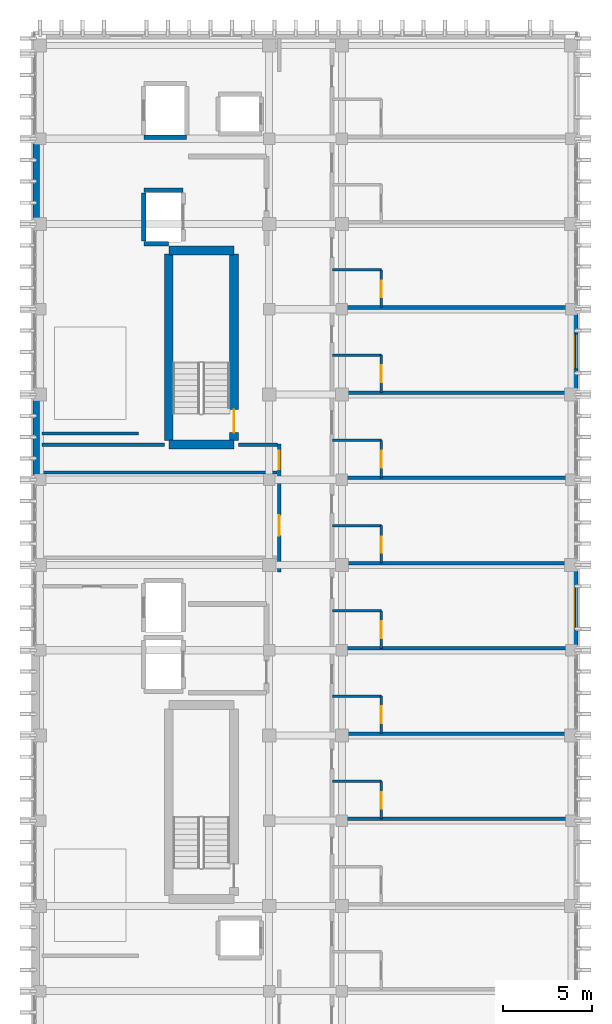
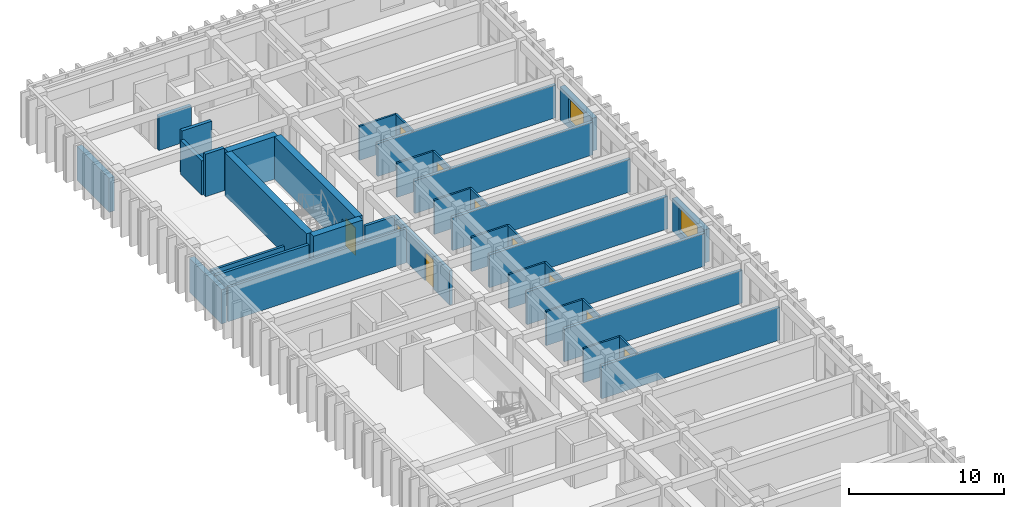
# One storey, part 54 of 64: 38 walls, 10 doors, 2 windows, 12 openings.
"""IFC4 building model written with IfcOpenShell, lengths in metres."""

from ifc_helpers import new_model, si_unit, direction, frame, frame_2d, origin, place, context, subcontext, project, spatial, rectangle, extrude, material, layer, layer_set, type_object, element, fill, save


model = new_model("IFC4")

# Units and contexts
model_context = context("Model", 3, precision=1e-05, world=origin(), true_north=direction((0.0, 1.0)))
body_context = subcontext(model_context, "Body", "Model", "MODEL_VIEW")
ifc_project = project(units=[si_unit("LENGTHUNIT", "METRE"), si_unit("AREAUNIT", "SQUARE_METRE"), si_unit("VOLUMEUNIT", "CUBIC_METRE"), si_unit("PLANEANGLEUNIT", "RADIAN"), si_unit("MASSUNIT", "GRAM", prefix="KILO")], contexts=[model_context])

# Site, building, storey
site_placement = place(None, origin())
site = spatial("IfcSite", under=ifc_project, at=site_placement, CompositionType="ELEMENT")
building_placement = place(site_placement, origin())
building = spatial("IfcBuilding", under=site, at=building_placement, Name="Nakhvara Creek Congress Hotel", CompositionType="ELEMENT")
storey_placement = place(building_placement, frame((0.0, 0.0, 28.199951171875)))
storey = spatial("IfcBuildingStorey", under=building, at=storey_placement, Name="L06", CompositionType="ELEMENT", Elevation=28.199951171875)

# Walls
ifc_material_1 = material(Name="Concrete C50/60", Category="concrete")
ifc_layer_1 = layer(ifc_material_1, 0.5)
ifc_layer_set_1 = layer_set([ifc_layer_1], Name="Concrete C50/60")
wall_type_1 = type_object("IfcWallType", Name="W-CORE-500", PredefinedType="SHEAR", material=ifc_layer_set_1)
for number, where, z_axis, x_axis, name in (
    (1, (156.699951171875, 102.780029296875, 0.0), (0.0, 0.0, 1.0), (1.0, 0.0, 0.0), "Core Shear Wall WS01-CWALL-L06-0412"),
    (2, (156.699951171875, 113.719970703125, 0.0), (0.0, 0.0, 1.0), (1.0, 0.0, 0.0), "Core Shear Wall WS01-CWALL-L06-0413"),
):
    element("IfcWall", number, at=place(storey_placement, frame(where, z_axis=z_axis, x_axis=x_axis)), inside=storey, type_object=wall_type_1, Name=name, PredefinedType="SHEAR", context=body_context, shape_type="SweptSolid", body=[
        extrude(rectangle(XDim=3.670166015625, YDim=0.5, at=frame_2d((1.8349609375, 0.0))), origin(), (0.0, 0.0, 1.0), 3.340087890625),
    ])
wall_1_placement = place(storey_placement, frame((156.699951171875, 103.0, 0.0), z_axis=(0.0, 0.0, 1.0), x_axis=(0.0, 1.0, 0.0)))
element("IfcWall", 3, at=wall_1_placement, inside=storey, type_object=wall_type_1, Name="Core Shear Wall WS01-CWALL-L06-0414", PredefinedType="SHEAR", context=body_context, shape_type="SweptSolid", body=[
    extrude(rectangle(XDim=10.5, YDim=0.5, at=frame_2d((5.25, 0.0))), origin(), (0.0, 0.0, 1.0), 3.340087890625),
])

# Wall, opening, door
wall_2_placement = place(storey_placement, frame((160.3701171875, 103.0, 0.0), z_axis=(0.0, 0.0, 1.0), x_axis=(0.0, 1.0, 0.0)))
wall_2 = element("IfcWall", 4, at=wall_2_placement, inside=storey, type_object=wall_type_1, Name="Core Shear Wall WS01-CWALL-L06-0415", PredefinedType="SHEAR", context=body_context, shape_type="SweptSolid", body=[
    extrude(rectangle(XDim=10.5, YDim=0.5, at=frame_2d((5.25, 0.0))), origin(), (0.0, 0.0, 1.0), 3.340087890625),
])
opening_1_placement = place(wall_2_placement, frame((0.449951171875, 0.0, 0.0)))
opening_1 = element("IfcOpeningElement", 5, at=opening_1_placement, cuts=wall_2, Name="Opening FD04", PredefinedType="OPENING", context=body_context, shape_type="SweptSolid", body=[
    extrude(rectangle(XDim=1.300048828125, YDim=2.14990234375, at=frame_2d((0.64990234375, 1.074951171875))), frame((0.0, 0.261962890625, 0.0), z_axis=(0.0, -1.0, 0.0), x_axis=(1.0, 0.0, 0.0)), (0.0, 0.0, 1.0), 0.52392578125),
])
ifc_material_2 = material(Name="Powder-coated steel fire door", Category="steel")
door_type_1 = type_object("IfcDoorType", Name="DT-STAIR-130", OperationType="NOTDEFINED", PredefinedType="DOOR", material=ifc_material_2)
door_1_placement = place(opening_1_placement, frame((1.300048828125, 0.0, 0.0), z_axis=(0.0, 0.0, 1.0), x_axis=(-1.0, 0.0, 0.0)))
door_1 = element("IfcDoor", 6, at=door_1_placement, inside=storey, type_object=door_type_1, Name="Stair Exit Door ST02-L06", OperationType="SINGLE_SWING_LEFT", OverallHeight=2.14990234375, OverallWidth=1.300048828125, PredefinedType="DOOR", context=body_context, shape_type="SweptSolid", body=[
    extrude(rectangle(XDim=1.300048828125, YDim=2.14990234375, at=frame_2d((0.64990234375, 1.074951171875))), frame((0.0, 0.02490234375, 0.0), z_axis=(0.0, -1.0, 0.0), x_axis=(1.0, 0.0, 0.0)), (0.0, 0.0, 1.0), 0.050048828125),
])
fill(opening_1, door_1)

# Wall, openings, doors
ifc_material_3 = material(Name="Gypsum acoustic board on steel stud", Category="steel")
ifc_layer_2 = layer(ifc_material_3, 0.219970703125)
ifc_layer_set_2 = layer_set([ifc_layer_2], Name="Gypsum acoustic board on steel stud")
wall_type_2 = type_object("IfcWallType", Name="W-CORR-220", PredefinedType="PARTITIONING", material=ifc_layer_set_2)
wall_3_placement = place(storey_placement, frame((162.919921875, 95.60009765625, 0.0), z_axis=(0.0, 0.0, 1.0), x_axis=(0.0, 1.0, 0.0)))
wall_3 = element("IfcWall", 7, at=wall_3_placement, inside=storey, type_object=wall_type_2, Name="Interior Wall WP11-IW-L06-0440", PredefinedType="PARTITIONING", context=body_context, shape_type="SweptSolid", body=[
    extrude(rectangle(XDim=7.219970703125, YDim=0.219970703125, at=frame_2d((3.60986328125, 0.0))), origin(), (0.0, 0.0, 1.0), 2.68212890625),
])
opening_2_placement = place(wall_3_placement, frame((2.050048828125, 0.0, 0.0)))
opening_2 = element("IfcOpeningElement", 8, at=opening_2_placement, cuts=wall_3, Name="Opening GD05", PredefinedType="OPENING", context=body_context, shape_type="SweptSolid", body=[
    extrude(rectangle(XDim=1.139892578125, YDim=2.260009765625, at=frame_2d((0.56982421875, 1.1298828125))), frame((0.0, 0.1220703125, 0.0), z_axis=(0.0, -1.0, 0.0), x_axis=(1.0, 0.0, 0.0)), (0.0, 0.0, 1.0), 0.243896484375),
])
opening_3_placement = place(wall_3_placement, frame((5.800048828125, 0.0, 0.0)))
opening_3 = element("IfcOpeningElement", 9, at=opening_3_placement, cuts=wall_3, Name="Opening GD01", PredefinedType="OPENING", context=body_context, shape_type="SweptSolid", body=[
    extrude(rectangle(XDim=1.02001953125, YDim=2.199951171875, at=frame_2d((0.510009765625, 1.10009765625))), frame((0.0, 0.1220703125, 0.0), z_axis=(0.0, -1.0, 0.0), x_axis=(1.0, 0.0, 0.0)), (0.0, 0.0, 1.0), 0.243896484375),
])
ifc_material_4 = material(Name="Walnut hardwood timber fire door", Category="wood")
door_type_2 = type_object("IfcDoorType", Name="DT-GUEST-102", OperationType="NOTDEFINED", PredefinedType="DOOR", material=ifc_material_4)
door_2_placement = place(opening_3_placement, frame((1.02001953125, 0.0, 0.0), z_axis=(0.0, 0.0, 1.0), x_axis=(-1.0, 0.0, 0.0)))
door_2 = element("IfcDoor", 10, at=door_2_placement, inside=storey, type_object=door_type_2, Name="Interior Door GD01-0348", OperationType="SINGLE_SWING_LEFT", OverallHeight=2.199951171875, OverallWidth=1.02001953125, PredefinedType="DOOR", context=body_context, shape_type="SweptSolid", body=[
    extrude(rectangle(XDim=1.02001953125, YDim=2.199951171875, at=frame_2d((0.510009765625, 1.10009765625))), frame((0.0, 0.02490234375, 0.0), z_axis=(0.0, -1.0, 0.0), x_axis=(1.0, 0.0, 0.0)), (0.0, 0.0, 1.0), 0.050048828125),
])
fill(opening_3, door_2)
door_type_3 = type_object("IfcDoorType", Name="DT-GUEST-114", OperationType="NOTDEFINED", PredefinedType="DOOR", material=ifc_material_4)
door_3_placement = place(opening_2_placement, frame((1.139892578125, 0.0, 0.0), z_axis=(0.0, 0.0, 1.0), x_axis=(-1.0, 0.0, 0.0)))
door_3 = element("IfcDoor", 11, at=door_3_placement, inside=storey, type_object=door_type_3, Name="Interior Door GD05-0347", OperationType="SINGLE_SWING_RIGHT", OverallHeight=2.260009765625, OverallWidth=1.139892578125, PredefinedType="DOOR", context=body_context, shape_type="SweptSolid", body=[
    extrude(rectangle(XDim=1.139892578125, YDim=2.260009765625, at=frame_2d((0.56982421875, 1.1298828125))), frame((0.0, 0.02490234375, 0.0), z_axis=(0.0, -1.0, 0.0), x_axis=(1.0, 0.0, 0.0)), (0.0, 0.0, 1.0), 0.050048828125),
])
fill(opening_2, door_3)

# Wall, opening, door
ifc_material_5 = material(Name="Moisture-resistant gypsum board partition")
ifc_layer_3 = layer(ifc_material_5, 0.139892578125)
ifc_layer_set_3 = layer_set([ifc_layer_3], Name="Moisture-resistant gypsum board partition")
wall_type_3 = type_object("IfcWallType", Name="W-ENS-140", PredefinedType="PARTITIONING", material=ifc_layer_set_3)
wall_4_placement = place(storey_placement, frame((168.669921875, 81.699951171875, 0.0), z_axis=(0.0, 0.0, 1.0), x_axis=(0.0, 1.0, 0.0)))
wall_4 = element("IfcWall", 12, at=wall_4_placement, inside=storey, type_object=wall_type_3, Name="Interior Wall WP15-IW-L06-0492", PredefinedType="PARTITIONING", context=body_context, shape_type="SweptSolid", body=[
    extrude(rectangle(XDim=2.115966796875, YDim=0.139892578125, at=frame_2d((1.05810546875, 0.0))), origin(), (0.0, 0.0, 1.0), 2.68212890625),
])
opening_4_placement = place(wall_4_placement, frame((0.5830078125, 0.0, 0.0)))
opening_4 = element("IfcOpeningElement", 13, at=opening_4_placement, cuts=wall_4, Name="Opening ID01", PredefinedType="OPENING", context=body_context, shape_type="SweptSolid", body=[
    extrude(rectangle(XDim=0.919921875, YDim=2.10009765625, at=frame_2d((0.4599609375, 1.050048828125))), frame((0.0, 0.08203125, 0.0), z_axis=(0.0, -1.0, 0.0), x_axis=(1.0, 0.0, 0.0)), (0.0, 0.0, 1.0), 0.163818359375),
])
ifc_material_6 = material(Name="Moisture-resistant walnut timber door", Category="wood")
door_type_4 = type_object("IfcDoorType", Name="DT-ENS-092", OperationType="NOTDEFINED", PredefinedType="DOOR", material=ifc_material_6)
door_4_placement = place(opening_4_placement, frame((0.919921875, 0.0, 0.0), z_axis=(0.0, 0.0, 1.0), x_axis=(-1.0, 0.0, 0.0)))
door_4 = element("IfcDoor", 14, at=door_4_placement, inside=storey, type_object=door_type_4, Name="Interior Door ID01-0379", OperationType="SINGLE_SWING_RIGHT", OverallHeight=2.10009765625, OverallWidth=0.919921875, PredefinedType="DOOR", context=body_context, shape_type="SweptSolid", body=[
    extrude(rectangle(XDim=0.919921875, YDim=2.10009765625, at=frame_2d((0.4599609375, 1.050048828125))), frame((0.0, 0.02490234375, 0.0), z_axis=(0.0, -1.0, 0.0), x_axis=(1.0, 0.0, 0.0)), (0.0, 0.0, 1.0), 0.050048828125),
])
fill(opening_4, door_4)

# Wall
wall_5_placement = place(storey_placement, frame((165.919921875, 83.81591796875, 0.0), z_axis=(0.0, 0.0, 1.0), x_axis=(1.0, 0.0, 0.0)))
element("IfcWall", 15, at=wall_5_placement, inside=storey, type_object=wall_type_3, Name="Interior Wall WP15-IW-L06-0493", PredefinedType="PARTITIONING", context=body_context, shape_type="SweptSolid", body=[
    extrude(rectangle(XDim=2.75, YDim=0.139892578125, at=frame_2d((1.375, 0.0))), origin(), (0.0, 0.0, 1.0), 2.68212890625),
])

# Wall, opening, door
wall_6_placement = place(storey_placement, frame((168.669921875, 86.5, 0.0), z_axis=(0.0, 0.0, 1.0), x_axis=(0.0, 1.0, 0.0)))
wall_6 = element("IfcWall", 16, at=wall_6_placement, inside=storey, type_object=wall_type_3, Name="Interior Wall WP15-IW-L06-0495", PredefinedType="PARTITIONING", context=body_context, shape_type="SweptSolid", body=[
    extrude(rectangle(XDim=2.115966796875, YDim=0.139892578125, at=frame_2d((1.05810546875, 0.0))), origin(), (0.0, 0.0, 1.0), 2.68212890625),
])
opening_5_placement = place(wall_6_placement, frame((0.5830078125, 0.0, 0.0)))
opening_5 = element("IfcOpeningElement", 17, at=opening_5_placement, cuts=wall_6, Name="Opening ID02", PredefinedType="OPENING", context=body_context, shape_type="SweptSolid", body=[
    extrude(rectangle(XDim=0.9599609375, YDim=2.1201171875, at=frame_2d((0.47998046875, 1.06005859375))), frame((0.0, 0.08203125, 0.0), z_axis=(0.0, -1.0, 0.0), x_axis=(1.0, 0.0, 0.0)), (0.0, 0.0, 1.0), 0.163818359375),
])
door_type_5 = type_object("IfcDoorType", Name="DT-ENS-096", OperationType="NOTDEFINED", PredefinedType="DOOR", material=ifc_material_6)
door_5_placement = place(opening_5_placement, frame((0.9599609375, 0.0, 0.0), z_axis=(0.0, 0.0, 1.0), x_axis=(-1.0, 0.0, 0.0)))
door_5 = element("IfcDoor", 18, at=door_5_placement, inside=storey, type_object=door_type_5, Name="Interior Door ID02-0381", OperationType="SINGLE_SWING_RIGHT", OverallHeight=2.1201171875, OverallWidth=0.9599609375, PredefinedType="DOOR", context=body_context, shape_type="SweptSolid", body=[
    extrude(rectangle(XDim=0.9599609375, YDim=2.1201171875, at=frame_2d((0.47998046875, 1.06005859375))), frame((0.0, 0.02490234375, 0.0), z_axis=(0.0, -1.0, 0.0), x_axis=(1.0, 0.0, 0.0)), (0.0, 0.0, 1.0), 0.050048828125),
])
fill(opening_5, door_5)

# Wall
wall_7_placement = place(storey_placement, frame((165.919921875, 88.615966796875, 0.0), z_axis=(0.0, 0.0, 1.0), x_axis=(1.0, 0.0, 0.0)))
element("IfcWall", 19, at=wall_7_placement, inside=storey, type_object=wall_type_3, Name="Interior Wall WP15-IW-L06-0496", PredefinedType="PARTITIONING", context=body_context, shape_type="SweptSolid", body=[
    extrude(rectangle(XDim=2.75, YDim=0.139892578125, at=frame_2d((1.375, 0.0))), origin(), (0.0, 0.0, 1.0), 2.68212890625),
])

# Wall, opening, door
wall_8_placement = place(storey_placement, frame((168.669921875, 91.300048828125, 0.0), z_axis=(0.0, 0.0, 1.0), x_axis=(0.0, 1.0, 0.0)))
wall_8 = element("IfcWall", 20, at=wall_8_placement, inside=storey, type_object=wall_type_3, Name="Interior Wall WP15-IW-L06-0498", PredefinedType="PARTITIONING", context=body_context, shape_type="SweptSolid", body=[
    extrude(rectangle(XDim=2.115966796875, YDim=0.139892578125, at=frame_2d((1.05810546875, 0.0))), origin(), (0.0, 0.0, 1.0), 2.68212890625),
])
opening_6_placement = place(wall_8_placement, frame((0.5830078125, 0.0, 0.0)))
opening_6 = element("IfcOpeningElement", 21, at=opening_6_placement, cuts=wall_8, Name="Opening ID02", PredefinedType="OPENING", context=body_context, shape_type="SweptSolid", body=[
    extrude(rectangle(XDim=0.9599609375, YDim=2.1201171875, at=frame_2d((0.47998046875, 1.06005859375))), frame((0.0, 0.08203125, 0.0), z_axis=(0.0, -1.0, 0.0), x_axis=(1.0, 0.0, 0.0)), (0.0, 0.0, 1.0), 0.163818359375),
])
door_6_placement = place(opening_6_placement, frame((0.9599609375, 0.0, 0.0), z_axis=(0.0, 0.0, 1.0), x_axis=(-1.0, 0.0, 0.0)))
door_6 = element("IfcDoor", 22, at=door_6_placement, inside=storey, type_object=door_type_5, Name="Interior Door ID02-0383", OperationType="SINGLE_SWING_RIGHT", OverallHeight=2.1201171875, OverallWidth=0.9599609375, PredefinedType="DOOR", context=body_context, shape_type="SweptSolid", body=[
    extrude(rectangle(XDim=0.9599609375, YDim=2.1201171875, at=frame_2d((0.47998046875, 1.06005859375))), frame((0.0, 0.02490234375, 0.0), z_axis=(0.0, -1.0, 0.0), x_axis=(1.0, 0.0, 0.0)), (0.0, 0.0, 1.0), 0.050048828125),
])
fill(opening_6, door_6)

# Wall
wall_9_placement = place(storey_placement, frame((165.919921875, 93.416015625, 0.0), z_axis=(0.0, 0.0, 1.0), x_axis=(1.0, 0.0, 0.0)))
element("IfcWall", 23, at=wall_9_placement, inside=storey, type_object=wall_type_3, Name="Interior Wall WP15-IW-L06-0499", PredefinedType="PARTITIONING", context=body_context, shape_type="SweptSolid", body=[
    extrude(rectangle(XDim=2.75, YDim=0.139892578125, at=frame_2d((1.375, 0.0))), origin(), (0.0, 0.0, 1.0), 2.68212890625),
])

# Wall, opening, door
wall_10_placement = place(storey_placement, frame((168.669921875, 96.10009765625, 0.0), z_axis=(0.0, 0.0, 1.0), x_axis=(0.0, 1.0, 0.0)))
wall_10 = element("IfcWall", 24, at=wall_10_placement, inside=storey, type_object=wall_type_3, Name="Interior Wall WP15-IW-L06-0501", PredefinedType="PARTITIONING", context=body_context, shape_type="SweptSolid", body=[
    extrude(rectangle(XDim=2.115966796875, YDim=0.139892578125, at=frame_2d((1.05810546875, 0.0))), origin(), (0.0, 0.0, 1.0), 2.68212890625),
])
opening_7_placement = place(wall_10_placement, frame((0.5830078125, 0.0, 0.0)))
opening_7 = element("IfcOpeningElement", 25, at=opening_7_placement, cuts=wall_10, Name="Opening ID01", PredefinedType="OPENING", context=body_context, shape_type="SweptSolid", body=[
    extrude(rectangle(XDim=0.919921875, YDim=2.10009765625, at=frame_2d((0.4599609375, 1.050048828125))), frame((0.0, 0.08203125, 0.0), z_axis=(0.0, -1.0, 0.0), x_axis=(1.0, 0.0, 0.0)), (0.0, 0.0, 1.0), 0.163818359375),
])
door_7_placement = place(opening_7_placement, frame((0.919921875, 0.0, 0.0), z_axis=(0.0, 0.0, 1.0), x_axis=(-1.0, 0.0, 0.0)))
door_7 = element("IfcDoor", 26, at=door_7_placement, inside=storey, type_object=door_type_4, Name="Interior Door ID01-0385", OperationType="SINGLE_SWING_RIGHT", OverallHeight=2.10009765625, OverallWidth=0.919921875, PredefinedType="DOOR", context=body_context, shape_type="SweptSolid", body=[
    extrude(rectangle(XDim=0.919921875, YDim=2.10009765625, at=frame_2d((0.4599609375, 1.050048828125))), frame((0.0, 0.02490234375, 0.0), z_axis=(0.0, -1.0, 0.0), x_axis=(1.0, 0.0, 0.0)), (0.0, 0.0, 1.0), 0.050048828125),
])
fill(opening_7, door_7)

# Wall
wall_11_placement = place(storey_placement, frame((165.919921875, 98.216064453125, 0.0), z_axis=(0.0, 0.0, 1.0), x_axis=(1.0, 0.0, 0.0)))
element("IfcWall", 27, at=wall_11_placement, inside=storey, type_object=wall_type_3, Name="Interior Wall WP15-IW-L06-0502", PredefinedType="PARTITIONING", context=body_context, shape_type="SweptSolid", body=[
    extrude(rectangle(XDim=2.75, YDim=0.139892578125, at=frame_2d((1.375, 0.0))), origin(), (0.0, 0.0, 1.0), 2.68212890625),
])

# Wall, opening, door
wall_12_placement = place(storey_placement, frame((168.669921875, 100.89990234375, 0.0), z_axis=(0.0, 0.0, 1.0), x_axis=(0.0, 1.0, 0.0)))
wall_12 = element("IfcWall", 28, at=wall_12_placement, inside=storey, type_object=wall_type_3, Name="Interior Wall WP15-IW-L06-0504", PredefinedType="PARTITIONING", context=body_context, shape_type="SweptSolid", body=[
    extrude(rectangle(XDim=2.1162109375, YDim=0.139892578125, at=frame_2d((1.05810546875, 0.0))), origin(), (0.0, 0.0, 1.0), 2.68212890625),
])
opening_8_placement = place(wall_12_placement, frame((0.5830078125, 0.0, 0.0)))
opening_8 = element("IfcOpeningElement", 29, at=opening_8_placement, cuts=wall_12, Name="Opening ID02", PredefinedType="OPENING", context=body_context, shape_type="SweptSolid", body=[
    extrude(rectangle(XDim=0.9599609375, YDim=2.1201171875, at=frame_2d((0.47998046875, 1.06005859375))), frame((0.0, 0.08203125, 0.0), z_axis=(0.0, -1.0, 0.0), x_axis=(1.0, 0.0, 0.0)), (0.0, 0.0, 1.0), 0.163818359375),
])
door_8_placement = place(opening_8_placement, frame((0.9599609375, 0.0, 0.0), z_axis=(0.0, 0.0, 1.0), x_axis=(-1.0, 0.0, 0.0)))
door_8 = element("IfcDoor", 30, at=door_8_placement, inside=storey, type_object=door_type_5, Name="Interior Door ID02-0387", OperationType="SINGLE_SWING_RIGHT", OverallHeight=2.1201171875, OverallWidth=0.9599609375, PredefinedType="DOOR", context=body_context, shape_type="SweptSolid", body=[
    extrude(rectangle(XDim=0.9599609375, YDim=2.1201171875, at=frame_2d((0.47998046875, 1.06005859375))), frame((0.0, 0.02490234375, 0.0), z_axis=(0.0, -1.0, 0.0), x_axis=(1.0, 0.0, 0.0)), (0.0, 0.0, 1.0), 0.050048828125),
])
fill(opening_8, door_8)

# Wall
wall_13_placement = place(storey_placement, frame((165.919921875, 103.01611328125, 0.0), z_axis=(0.0, 0.0, 1.0), x_axis=(1.0, 0.0, 0.0)))
element("IfcWall", 31, at=wall_13_placement, inside=storey, type_object=wall_type_3, Name="Interior Wall WP15-IW-L06-0505", PredefinedType="PARTITIONING", context=body_context, shape_type="SweptSolid", body=[
    extrude(rectangle(XDim=2.75, YDim=0.139892578125, at=frame_2d((1.375, 0.0))), origin(), (0.0, 0.0, 1.0), 2.68212890625),
])

# Wall, opening, door
wall_14_placement = place(storey_placement, frame((168.669921875, 105.699951171875, 0.0), z_axis=(0.0, 0.0, 1.0), x_axis=(0.0, 1.0, 0.0)))
wall_14 = element("IfcWall", 32, at=wall_14_placement, inside=storey, type_object=wall_type_3, Name="Interior Wall WP15-IW-L06-0507", PredefinedType="PARTITIONING", context=body_context, shape_type="SweptSolid", body=[
    extrude(rectangle(XDim=2.115966796875, YDim=0.139892578125, at=frame_2d((1.05810546875, 0.0))), origin(), (0.0, 0.0, 1.0), 2.68212890625),
])
opening_9_placement = place(wall_14_placement, frame((0.5830078125, 0.0, 0.0)))
opening_9 = element("IfcOpeningElement", 33, at=opening_9_placement, cuts=wall_14, Name="Opening ID02", PredefinedType="OPENING", context=body_context, shape_type="SweptSolid", body=[
    extrude(rectangle(XDim=0.9599609375, YDim=2.1201171875, at=frame_2d((0.47998046875, 1.06005859375))), frame((0.0, 0.08203125, 0.0), z_axis=(0.0, -1.0, 0.0), x_axis=(1.0, 0.0, 0.0)), (0.0, 0.0, 1.0), 0.163818359375),
])
door_9_placement = place(opening_9_placement, frame((0.9599609375, 0.0, 0.0), z_axis=(0.0, 0.0, 1.0), x_axis=(-1.0, 0.0, 0.0)))
door_9 = element("IfcDoor", 34, at=door_9_placement, inside=storey, type_object=door_type_5, Name="Interior Door ID02-0389", OperationType="SINGLE_SWING_RIGHT", OverallHeight=2.1201171875, OverallWidth=0.9599609375, PredefinedType="DOOR", context=body_context, shape_type="SweptSolid", body=[
    extrude(rectangle(XDim=0.9599609375, YDim=2.1201171875, at=frame_2d((0.47998046875, 1.06005859375))), frame((0.0, 0.02490234375, 0.0), z_axis=(0.0, -1.0, 0.0), x_axis=(1.0, 0.0, 0.0)), (0.0, 0.0, 1.0), 0.050048828125),
])
fill(opening_9, door_9)

# Wall
wall_15_placement = place(storey_placement, frame((165.919921875, 107.81591796875, 0.0), z_axis=(0.0, 0.0, 1.0), x_axis=(1.0, 0.0, 0.0)))
element("IfcWall", 35, at=wall_15_placement, inside=storey, type_object=wall_type_3, Name="Interior Wall WP15-IW-L06-0508", PredefinedType="PARTITIONING", context=body_context, shape_type="SweptSolid", body=[
    extrude(rectangle(XDim=2.75, YDim=0.139892578125, at=frame_2d((1.375, 0.0))), origin(), (0.0, 0.0, 1.0), 2.68212890625),
])

# Wall, opening, door
wall_16_placement = place(storey_placement, frame((168.669921875, 110.5, 0.0), z_axis=(0.0, 0.0, 1.0), x_axis=(0.0, 1.0, 0.0)))
wall_16 = element("IfcWall", 36, at=wall_16_placement, inside=storey, type_object=wall_type_3, Name="Interior Wall WP15-IW-L06-0510", PredefinedType="PARTITIONING", context=body_context, shape_type="SweptSolid", body=[
    extrude(rectangle(XDim=2.115966796875, YDim=0.139892578125, at=frame_2d((1.05810546875, 0.0))), origin(), (0.0, 0.0, 1.0), 2.68212890625),
])
opening_10_placement = place(wall_16_placement, frame((0.5830078125, 0.0, 0.0)))
opening_10 = element("IfcOpeningElement", 37, at=opening_10_placement, cuts=wall_16, Name="Opening ID01", PredefinedType="OPENING", context=body_context, shape_type="SweptSolid", body=[
    extrude(rectangle(XDim=0.919921875, YDim=2.10009765625, at=frame_2d((0.4599609375, 1.050048828125))), frame((0.0, 0.08203125, 0.0), z_axis=(0.0, -1.0, 0.0), x_axis=(1.0, 0.0, 0.0)), (0.0, 0.0, 1.0), 0.163818359375),
])
door_10_placement = place(opening_10_placement, frame((0.919921875, 0.0, 0.0), z_axis=(0.0, 0.0, 1.0), x_axis=(-1.0, 0.0, 0.0)))
door_10 = element("IfcDoor", 38, at=door_10_placement, inside=storey, type_object=door_type_4, Name="Interior Door ID01-0391", OperationType="SINGLE_SWING_RIGHT", OverallHeight=2.10009765625, OverallWidth=0.919921875, PredefinedType="DOOR", context=body_context, shape_type="SweptSolid", body=[
    extrude(rectangle(XDim=0.919921875, YDim=2.10009765625, at=frame_2d((0.4599609375, 1.050048828125))), frame((0.0, 0.02490234375, 0.0), z_axis=(0.0, -1.0, 0.0), x_axis=(1.0, 0.0, 0.0)), (0.0, 0.0, 1.0), 0.050048828125),
])
fill(opening_10, door_10)

# Wall
wall_17_placement = place(storey_placement, frame((165.919921875, 112.615966796875, 0.0), z_axis=(0.0, 0.0, 1.0), x_axis=(1.0, 0.0, 0.0)))
element("IfcWall", 39, at=wall_17_placement, inside=storey, type_object=wall_type_3, Name="Interior Wall WP15-IW-L06-0511", PredefinedType="PARTITIONING", context=body_context, shape_type="SweptSolid", body=[
    extrude(rectangle(XDim=2.75, YDim=0.139892578125, at=frame_2d((1.375, 0.0))), origin(), (0.0, 0.0, 1.0), 2.68212890625),
])

# Wall, opening, window
ifc_material_7 = material(Name="Honed pale Omani limestone cladding", Category="masonry")
ifc_layer_4 = layer(ifc_material_7, 0.050048828125)
ifc_material_8 = material(Name="Mineral wool thermal insulation")
ifc_layer_5 = layer(ifc_material_8, 0.110107421875)
ifc_material_9 = material(Name="Precast concrete C40/50", Category="concrete")
ifc_layer_6 = layer(ifc_material_9, 0.219970703125)
ifc_layer_set_4 = layer_set([ifc_layer_4, ifc_layer_5, ifc_layer_6], Name="Precast concrete C40/50")
wall_type_4 = type_object("IfcWallType", Name="W-EXT-380", PredefinedType="SOLIDWALL", material=ifc_layer_set_4)
wall_18_placement = place(storey_placement, frame((179.56005859375, 95.64990234375, 0.0), z_axis=(0.0, 0.0, 1.0), x_axis=(0.0, -1.0, 0.0)))
wall_18 = element("IfcWall", 40, at=wall_18_placement, inside=storey, type_object=wall_type_4, Name="Exterior Wall WE03-EW-L06-0171", PredefinedType="SOLIDWALL", context=body_context, shape_type="SweptSolid", body=[
    extrude(rectangle(XDim=4.14990234375, YDim=0.3798828125, at=frame_2d((2.074951171875, 0.0))), origin(), (0.0, 0.0, 1.0), 2.58203125),
])
opening_11_placement = place(wall_18_placement, frame((0.875, 0.0, 0.550048828125)))
opening_11 = element("IfcOpeningElement", 41, at=opening_11_placement, cuts=wall_18, Name="Opening WN0183", PredefinedType="OPENING", context=body_context, shape_type="SweptSolid", body=[
    extrude(rectangle(XDim=2.39990234375, YDim=1.800048828125, at=frame_2d((1.199951171875, 0.89990234375))), frame((0.0, 0.201904296875, 0.0), z_axis=(0.0, -1.0, 0.0), x_axis=(1.0, 0.0, 0.0)), (0.0, 0.0, 1.0), 0.40380859375),
])
ifc_material_10 = material(Name="Thermally broken bronze-anodised aluminium and double-silver low-E insulated glass", Category="aluminium")
window_type_1 = type_object("IfcWindowType", Name="WN-LAN-240X240", PartitioningType="SINGLE_PANEL", PredefinedType="WINDOW", material=ifc_material_10)
window_1_placement = place(opening_11_placement, origin())
window_1 = element("IfcWindow", 42, at=window_1_placement, inside=storey, type_object=window_type_1, Name="Facade Window WN0183", OverallHeight=1.800048828125, OverallWidth=2.39990234375, PartitioningType="SINGLE_PANEL", PredefinedType="WINDOW", context=body_context, shape_type="SweptSolid", body=[
    extrude(rectangle(XDim=2.39990234375, YDim=1.800048828125, at=frame_2d((1.199951171875, 0.89990234375))), frame((0.0, 0.030029296875, 0.0), z_axis=(0.0, -1.0, 0.0), x_axis=(1.0, 0.0, 0.0)), (0.0, 0.0, 1.0), 0.06005859375),
])
fill(opening_11, window_1)

# Wall
wall_19_placement = place(storey_placement, frame((149.239990234375, 101.10009765625, 0.0), z_axis=(0.0, 0.0, 1.0), x_axis=(0.0, 1.0, 0.0)))
element("IfcWall", 43, at=wall_19_placement, inside=storey, type_object=wall_type_4, Name="Exterior Wall WE03-EW-L06-0172", PredefinedType="SOLIDWALL", context=body_context, shape_type="SweptSolid", body=[
    extrude(rectangle(XDim=4.14990234375, YDim=0.3798828125, at=frame_2d((2.074951171875, 0.0))), origin(), (0.0, 0.0, 1.0), 2.68212890625),
])

# Wall, opening, window
wall_20_placement = place(storey_placement, frame((179.56005859375, 110.10009765625, 0.0), z_axis=(0.0, 0.0, 1.0), x_axis=(0.0, -1.0, 0.0)))
wall_20 = element("IfcWall", 44, at=wall_20_placement, inside=storey, type_object=wall_type_4, Name="Exterior Wall WE03-EW-L06-0173", PredefinedType="SOLIDWALL", context=body_context, shape_type="SweptSolid", body=[
    extrude(rectangle(XDim=4.150146484375, YDim=0.3798828125, at=frame_2d((2.0751953125, 0.0))), origin(), (0.0, 0.0, 1.0), 2.58203125),
])
opening_12_placement = place(wall_20_placement, frame((1.10009765625, 0.0, 0.550048828125)))
opening_12 = element("IfcOpeningElement", 45, at=opening_12_placement, cuts=wall_20, Name="Opening WN0184", PredefinedType="OPENING", context=body_context, shape_type="SweptSolid", body=[
    extrude(rectangle(XDim=1.949951171875, YDim=1.77001953125, at=frame_2d((0.97509765625, 0.885009765625))), frame((0.0, 0.201904296875, 0.0), z_axis=(0.0, -1.0, 0.0), x_axis=(1.0, 0.0, 0.0)), (0.0, 0.0, 1.0), 0.40380859375),
])
window_type_2 = type_object("IfcWindowType", Name="WN-LAN-195X230", PartitioningType="SINGLE_PANEL", PredefinedType="WINDOW", material=ifc_material_10)
window_2_placement = place(opening_12_placement, origin())
window_2 = element("IfcWindow", 46, at=window_2_placement, inside=storey, type_object=window_type_2, Name="Facade Window WN0184", OverallHeight=1.77001953125, OverallWidth=1.949951171875, PartitioningType="SINGLE_PANEL", PredefinedType="WINDOW", context=body_context, shape_type="SweptSolid", body=[
    extrude(rectangle(XDim=1.949951171875, YDim=1.77001953125, at=frame_2d((0.97509765625, 0.885009765625))), frame((0.0, 0.030029296875, 0.0), z_axis=(0.0, -1.0, 0.0), x_axis=(1.0, 0.0, 0.0)), (0.0, 0.0, 1.0), 0.06005859375),
])
fill(opening_12, window_2)

# Walls
wall_21_placement = place(storey_placement, frame((149.239990234375, 115.550048828125, 0.0), z_axis=(0.0, 0.0, 1.0), x_axis=(0.0, 1.0, 0.0)))
element("IfcWall", 47, at=wall_21_placement, inside=storey, type_object=wall_type_4, Name="Exterior Wall WE03-EW-L06-0174", PredefinedType="SOLIDWALL", context=body_context, shape_type="SweptSolid", body=[
    extrude(rectangle(XDim=4.14990234375, YDim=0.3798828125, at=frame_2d((2.074951171875, 0.0))), origin(), (0.0, 0.0, 1.0), 2.68212890625),
])
ifc_layer_7 = layer(ifc_material_3, 0.179931640625)
ifc_layer_set_5 = layer_set([ifc_layer_7], Name="Gypsum acoustic board on steel stud")
wall_type_5 = type_object("IfcWallType", Name="W-MEET-180", PredefinedType="PARTITIONING", material=ifc_layer_set_5)
wall_22_placement = place(storey_placement, frame((149.550048828125, 101.199951171875, 0.0), z_axis=(0.0, 0.0, 1.0), x_axis=(1.0, 0.0, 0.0)))
element("IfcWall", 48, at=wall_22_placement, inside=storey, type_object=wall_type_5, Name="Interior Wall WP13-IW-L06-0444", PredefinedType="PARTITIONING", context=body_context, shape_type="SweptSolid", body=[
    extrude(rectangle(XDim=13.22998046875, YDim=0.179931640625, at=frame_2d((6.614990234375, 0.0))), origin(), (0.0, 0.0, 1.0), 2.68212890625),
])
wall_23_placement = place(storey_placement, frame((149.550048828125, 103.39990234375, 0.0), z_axis=(0.0, 0.0, 1.0), x_axis=(1.0, 0.0, 0.0)))
element("IfcWall", 49, at=wall_23_placement, inside=storey, type_object=wall_type_5, Name="Interior Wall WP13-IW-L06-0449", PredefinedType="PARTITIONING", context=body_context, shape_type="SweptSolid", body=[
    extrude(rectangle(XDim=5.449951171875, YDim=0.179931640625, at=frame_2d((2.72509765625, 0.0))), origin(), (0.0, 0.0, 1.0), 2.68212890625),
])
ifc_layer_8 = layer(ifc_material_3, 0.199951171875)
ifc_layer_set_6 = layer_set([ifc_layer_8], Name="Gypsum acoustic board on steel stud")
wall_type_6 = type_object("IfcWallType", Name="W-PART-200", PredefinedType="PARTITIONING", material=ifc_layer_set_6)
wall_24_placement = place(storey_placement, frame((149.550048828125, 102.780029296875, 0.0), z_axis=(0.0, 0.0, 1.0), x_axis=(1.0, 0.0, 0.0)))
element("IfcWall", 50, at=wall_24_placement, inside=storey, type_object=wall_type_6, Name="Interior Wall WP12-IW-L06-0445", PredefinedType="PARTITIONING", context=body_context, shape_type="SweptSolid", body=[
    extrude(rectangle(XDim=6.89990234375, YDim=0.199951171875, at=frame_2d((3.449951171875, 0.0))), origin(), (0.0, 0.0, 1.0), 2.68212890625),
])
wall_25_placement = place(storey_placement, frame((160.6201171875, 102.780029296875, 0.0), z_axis=(0.0, 0.0, 1.0), x_axis=(1.0, 0.0, 0.0)))
element("IfcWall", 51, at=wall_25_placement, inside=storey, type_object=wall_type_6, Name="Interior Wall WP12-IW-L06-0446", PredefinedType="PARTITIONING", context=body_context, shape_type="SweptSolid", body=[
    extrude(rectangle(XDim=2.18994140625, YDim=0.199951171875, at=frame_2d((1.094970703125, 0.0))), origin(), (0.0, 0.0, 1.0), 2.68212890625),
])
for number, where, z_axis, x_axis, name in (
    (52, (166.02001953125, 81.699951171875, 0.0), (0.0, 0.0, 1.0), (1.0, 0.0, 0.0), "Interior Wall WP12-IW-L06-0491"),
    (53, (166.02001953125, 86.5, 0.0), (0.0, 0.0, 1.0), (1.0, 0.0, 0.0), "Interior Wall WP12-IW-L06-0494"),
    (54, (166.02001953125, 91.300048828125, 0.0), (0.0, 0.0, 1.0), (1.0, 0.0, 0.0), "Interior Wall WP12-IW-L06-0497"),
    (55, (166.02001953125, 96.10009765625, 0.0), (0.0, 0.0, 1.0), (1.0, 0.0, 0.0), "Interior Wall WP12-IW-L06-0500"),
    (56, (166.02001953125, 100.89990234375, 0.0), (0.0, 0.0, 1.0), (1.0, 0.0, 0.0), "Interior Wall WP12-IW-L06-0503"),
    (57, (166.02001953125, 105.699951171875, 0.0), (0.0, 0.0, 1.0), (1.0, 0.0, 0.0), "Interior Wall WP12-IW-L06-0506"),
    (58, (166.02001953125, 110.5, 0.0), (0.0, 0.0, 1.0), (1.0, 0.0, 0.0), "Interior Wall WP12-IW-L06-0509"),
):
    element("IfcWall", number, at=place(storey_placement, frame(where, z_axis=z_axis, x_axis=x_axis)), inside=storey, type_object=wall_type_6, Name=name, PredefinedType="PARTITIONING", context=body_context, shape_type="SweptSolid", body=[
        extrude(rectangle(XDim=13.22998046875, YDim=0.199951171875, at=frame_2d((6.614990234375, 0.0))), origin(), (0.0, 0.0, 1.0), 2.58203125),
    ])
ifc_material_11 = material(Name="Concrete C40/50", Category="concrete")
ifc_layer_9 = layer(ifc_material_11, 0.25)
ifc_layer_set_7 = layer_set([ifc_layer_9], Name="Concrete C40/50")
wall_type_7 = type_object("IfcWallType", Name="W-SHAFT-250", PredefinedType="SOLIDWALL", material=ifc_layer_set_7)
wall_26_placement = place(storey_placement, frame((155.2900390625, 114.090087890625, 0.0), z_axis=(0.0, 0.0, 1.0), x_axis=(1.0, 0.0, 0.0)))
element("IfcWall", 59, at=wall_26_placement, inside=storey, type_object=wall_type_7, Name="Core Shear Wall WI02-CWALL-L06-0416", PredefinedType="SOLIDWALL", context=body_context, shape_type="SweptSolid", body=[
    extrude(rectangle(XDim=1.39990234375, YDim=0.25, at=frame_2d((0.699951171875, 0.0))), origin(), (0.0, 0.0, 1.0), 3.340087890625),
])
wall_27_placement = place(storey_placement, frame((155.2900390625, 117.110107421875, 0.0), z_axis=(0.0, 0.0, 1.0), x_axis=(1.0, 0.0, 0.0)))
element("IfcWall", 60, at=wall_27_placement, inside=storey, type_object=wall_type_7, Name="Core Shear Wall WI02-CWALL-L06-0417", PredefinedType="SOLIDWALL", context=body_context, shape_type="SweptSolid", body=[
    extrude(rectangle(XDim=2.219970703125, YDim=0.25, at=frame_2d((1.10986328125, 0.0))), origin(), (0.0, 0.0, 1.0), 3.340087890625),
])
wall_28_placement = place(storey_placement, frame((155.2900390625, 114.25, 0.0), z_axis=(0.0, 0.0, 1.0), x_axis=(0.0, 1.0, 0.0)))
element("IfcWall", 61, at=wall_28_placement, inside=storey, type_object=wall_type_7, Name="Core Shear Wall WI02-CWALL-L06-0418", PredefinedType="SOLIDWALL", context=body_context, shape_type="SweptSolid", body=[
    extrude(rectangle(XDim=2.699951171875, YDim=0.25, at=frame_2d((1.35009765625, 0.0))), origin(), (0.0, 0.0, 1.0), 2.68212890625),
])
wall_29_placement = place(storey_placement, frame((155.2900390625, 120.090087890625, 0.0), z_axis=(0.0, 0.0, 1.0), x_axis=(1.0, 0.0, 0.0)))
element("IfcWall", 62, at=wall_29_placement, inside=storey, type_object=wall_type_7, Name="Core Shear Wall WI02-CWALL-L06-0424", PredefinedType="SOLIDWALL", context=body_context, shape_type="SweptSolid", body=[
    extrude(rectangle(XDim=2.419921875, YDim=0.25, at=frame_2d((1.2099609375, 0.0))), origin(), (0.0, 0.0, 1.0), 2.68212890625),
])

save(model, "model.ifc")
